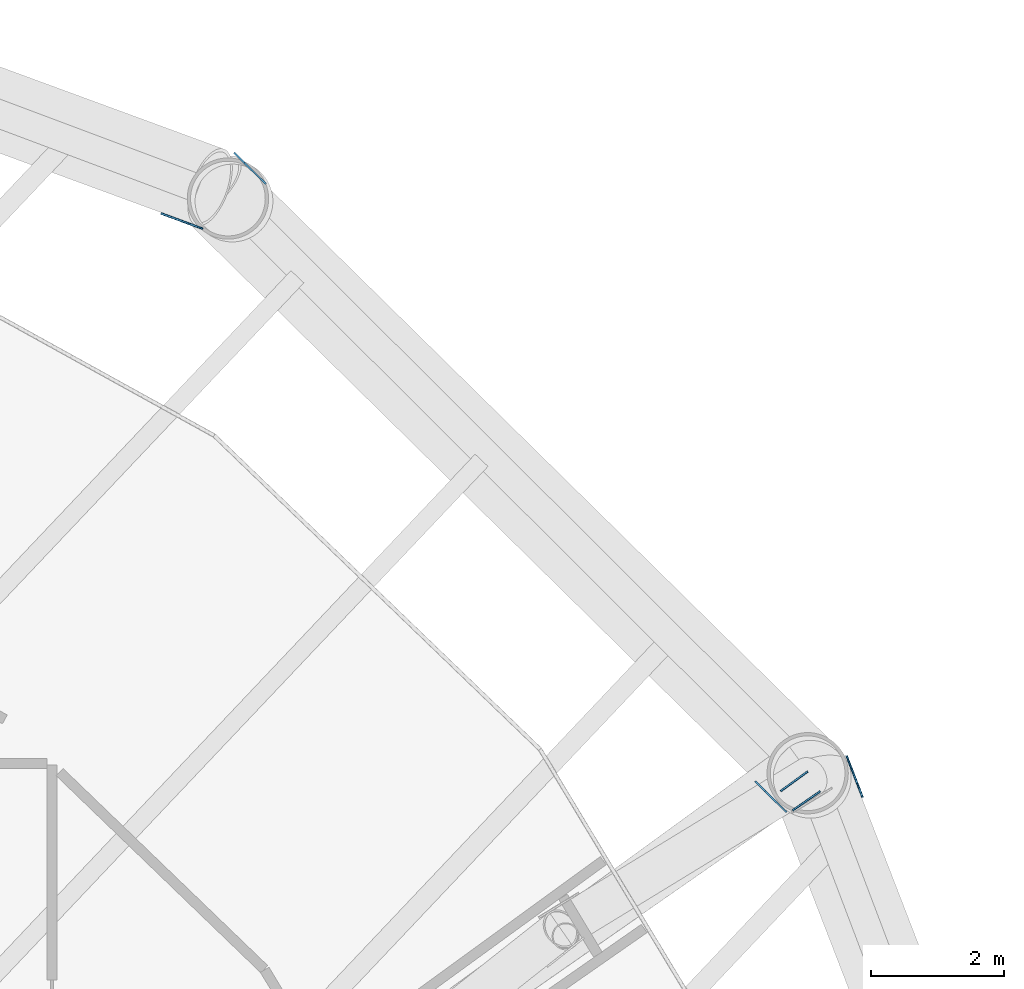
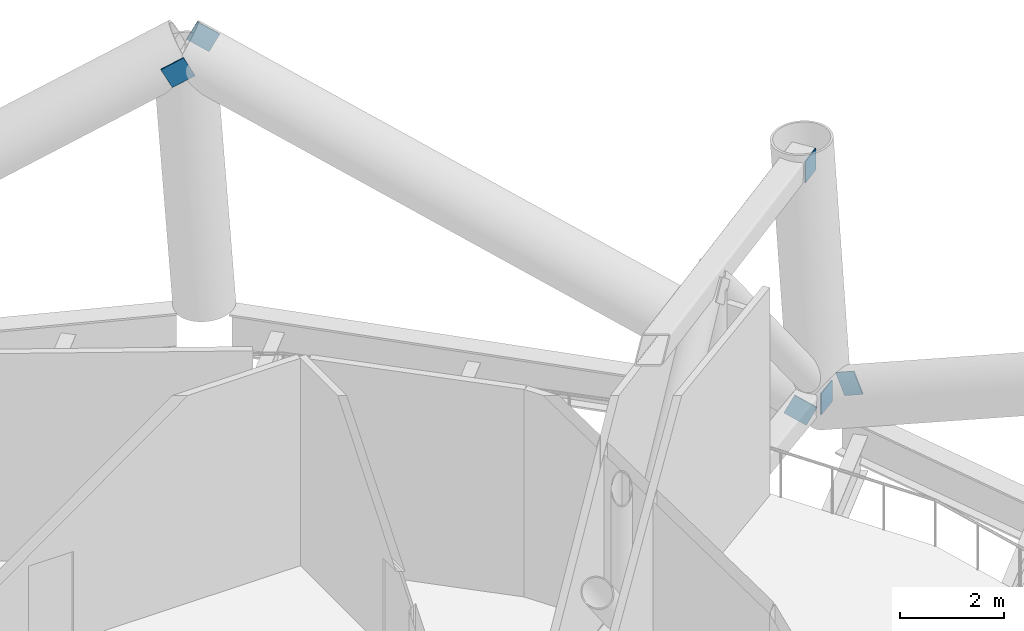
# One storey, part 29 of 39: 6 discrete accessories.
"""IFC4 building model written with IfcOpenShell, lengths in metres."""

from ifc_helpers import new_model, si_unit, direction, frame, origin, origin_2d, place, context, subcontext, project, spatial, rectangle, extrude, material, material_profile, profile_set, type_object, element, save


model = new_model("IFC4")

# Units and contexts
model_context = context("Model", 3, precision=1e-05, world=origin(), true_north=direction((0.0, 1.0)))
body_context = subcontext(model_context, "Body", "Model", "MODEL_VIEW")
ifc_project = project(units=[si_unit("LENGTHUNIT", "METRE"), si_unit("AREAUNIT", "SQUARE_METRE"), si_unit("VOLUMEUNIT", "CUBIC_METRE"), si_unit("PLANEANGLEUNIT", "RADIAN"), si_unit("MASSUNIT", "GRAM", prefix="KILO")], contexts=[model_context])

# Site, building, storey
site_placement = place(None, origin())
site = spatial("IfcSite", under=ifc_project, at=site_placement, CompositionType="ELEMENT")
building_placement = place(site_placement, origin())
building = spatial("IfcBuilding", under=site, at=building_placement, Name="Tarsis Ring Headquarters", CompositionType="ELEMENT")
storey_placement = place(building_placement, frame((0.0, 0.0, 86.800048828125)))
storey = spatial("IfcBuildingStorey", under=building, at=storey_placement, Name="L19", CompositionType="ELEMENT", Elevation=86.800048828125)

# Discrete accessories
ifc_material = material(Name="Structural steel S355", Category="steel")
ifc_material_profile = material_profile(ifc_material, rectangle(XDim=0.02490234375, YDim=0.5, at=origin_2d()), Name="PL 25x500")
ifc_profile_set = profile_set([ifc_material_profile], Name="Structural steel S355")
discrete_accessory_type_1 = type_object("IfcDiscreteAccessoryType", Name="Gusset plate Belt truss 25", PredefinedType="BRACKET", material=ifc_profile_set)
discrete_accessory_1_placement = place(storey_placement, frame((24.963623046875, 16.012451171875, 0.0), z_axis=(0.322185094629, -0.832311494457, 0.45105913248), x_axis=(0.932568098274, 0.360994102558, 0.0)))
element("IfcDiscreteAccessory", 1, at=discrete_accessory_1_placement, inside=storey, type_object=discrete_accessory_type_1, Name="Gusset plate GP4", PredefinedType="BRACKET", context=body_context, shape_type="SweptSolid", body=[
    extrude(rectangle(XDim=0.02490234375, YDim=0.5, at=origin_2d()), origin(), (0.0, 0.0, 1.0), 0.500244140625),
])
for number, where, z_axis, x_axis, name in (
    (2, (23.947265625, 15.344482421875, 0.0), (-0.644154322685, 0.633410277879, 0.428785060892), (-0.701135371239, -0.713028184013, 0.0), "Gusset plate GP4"),
    (3, (15.810302734375, 25.090087890625, 6.0), (0.644019399841, -0.633277605454, -0.4291835121), (0.701135371239, 0.713028184013, 0.0), "Gusset plate GP4"),
    (4, (15.159423828125, 24.062744140625, 6.0), (-0.83745765291, 0.307637505151, -0.451689987721), (-0.34481746268, -0.938669759517, 0.0), "Gusset plate GP4"),
):
    element("IfcDiscreteAccessory", number, at=place(storey_placement, frame(where, z_axis=z_axis, x_axis=x_axis)), inside=storey, type_object=discrete_accessory_type_1, Name=name, PredefinedType="BRACKET", context=body_context, shape_type="SweptSolid", body=[
        extrude(rectangle(XDim=0.02490234375, YDim=0.5, at=origin_2d()), origin(), (0.0, 0.0, 1.0), 0.5),
    ])
discrete_accessory_type_2 = type_object("IfcDiscreteAccessoryType", Name="Gusset plate Outrigger chord 25", PredefinedType="BRACKET", material=ifc_profile_set)
discrete_accessory_2_placement = place(storey_placement, frame((24.526611328125, 15.583251953125, 0.25390625), z_axis=(-0.820377341708, -0.571822539965, 0.0), x_axis=(0.571822539965, -0.820377341708, 0.0)))
element("IfcDiscreteAccessory", 5, at=discrete_accessory_2_placement, inside=storey, type_object=discrete_accessory_type_2, Name="Gusset plate GP3", PredefinedType="BRACKET", context=body_context, shape_type="SweptSolid", body=[
    extrude(rectangle(XDim=0.02490234375, YDim=0.5, at=origin_2d()), origin(), (0.0, 0.0, 1.0), 0.5),
])
discrete_accessory_3_placement = place(storey_placement, frame((24.338134765625, 15.880126953125, 5.5859375), z_axis=(-0.80875719017, -0.588142676014, 0.0), x_axis=(0.588142676014, -0.80875719017, 0.0)))
element("IfcDiscreteAccessory", 6, at=discrete_accessory_3_placement, inside=storey, type_object=discrete_accessory_type_2, Name="Gusset plate GP3", PredefinedType="BRACKET", context=body_context, shape_type="SweptSolid", body=[
    extrude(rectangle(XDim=0.02490234375, YDim=0.5, at=origin_2d()), origin(), (0.0, 0.0, 1.0), 0.500244140625),
])

save(model, "model.ifc")
